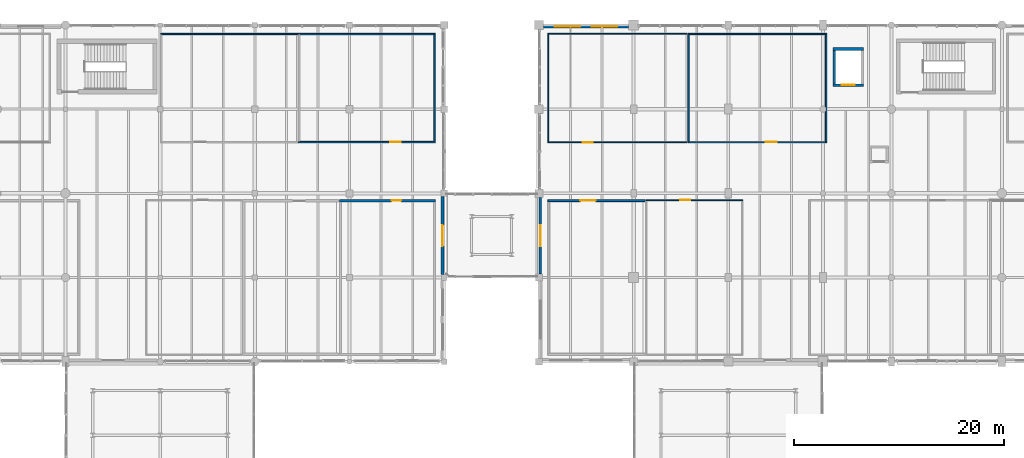
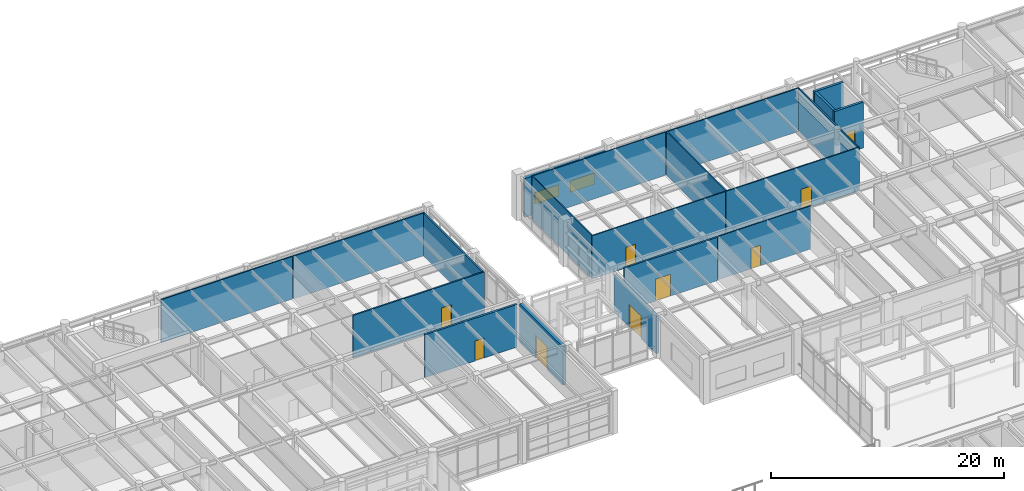
# One storey, part 178 of 200: 20 walls, 9 doors, 2 windows, 11 openings.
"""IFC4 building model written with IfcOpenShell, lengths in metres."""

from ifc_helpers import new_model, si_unit, direction, frame, frame_2d, origin, place, context, subcontext, project, spatial, rectangle, extrude, material, layer, layer_set, type_object, element, fill, save


model = new_model("IFC4")

# Units and contexts
model_context = context("Model", 3, precision=1e-05, world=origin(), true_north=direction((0.0, 1.0)))
body_context = subcontext(model_context, "Body", "Model", "MODEL_VIEW")
ifc_project = project(units=[si_unit("LENGTHUNIT", "METRE"), si_unit("AREAUNIT", "SQUARE_METRE"), si_unit("VOLUMEUNIT", "CUBIC_METRE"), si_unit("PLANEANGLEUNIT", "RADIAN"), si_unit("MASSUNIT", "GRAM", prefix="KILO"), si_unit("THERMODYNAMICTEMPERATUREUNIT", "KELVIN"), si_unit("POWERUNIT", "WATT")], contexts=[model_context])

# Site, building, storey
site_placement = place(None, origin())
site = spatial("IfcSite", under=ifc_project, at=site_placement, CompositionType="ELEMENT")
building_placement = place(site_placement, origin())
building = spatial("IfcBuilding", under=site, at=building_placement, Name="Tepalcoro Natatorium and Aquatics Centre", CompositionType="ELEMENT")
storey_placement = place(building_placement, frame((0.0, 0.0, 5.39990234375)))
storey = spatial("IfcBuildingStorey", under=building, at=storey_placement, Name="L01", CompositionType="ELEMENT", Elevation=5.39990234375)

# Wall, opening, door
ifc_material_1 = material(Name="Precast Concrete C45/55 (fc 45 MPa)", Category="concrete")
ifc_layer_1 = layer(ifc_material_1, 0.260009765625)
ifc_layer_set_1 = layer_set([ifc_layer_1], Name="Precast Concrete C45/55 (fc 45 MPa)")
wall_type_1 = type_object("IfcWallType", Name="WL_EXT_GABLE_260", PredefinedType="SOLIDWALL", material=ifc_layer_set_1)
wall_1_placement = place(storey_placement, frame((98.1298828125, 94.35400390625, 0.0), z_axis=(0.0, 0.0, 1.0), x_axis=(0.0, 1.0, 0.0)))
wall_1 = element("IfcWall", 1, at=wall_1_placement, inside=storey, type_object=wall_type_1, Name="V5 L01 W Volcanic Basalt Envelope Wall", PredefinedType="SOLIDWALL", context=body_context, shape_type="SweptSolid", body=[
    extrude(rectangle(XDim=7.26708984375, YDim=0.260009765625, at=frame_2d((3.633544921875, 0.0))), origin(), (0.0, 0.0, 1.0), 3.918212890625),
])
opening_1_placement = place(wall_1_placement, frame((2.633544921875, 0.0, 0.0)))
opening_1 = element("IfcOpeningElement", 2, at=opening_1_placement, cuts=wall_1, Name="Opening ED5045", PredefinedType="OPENING", context=body_context, shape_type="SweptSolid", body=[
    extrude(rectangle(XDim=2.0, YDim=2.39990234375, at=frame_2d((1.0, 1.199951171875))), frame((0.0, 0.14208984375, 0.0), z_axis=(0.0, -1.0, 0.0), x_axis=(1.0, 0.0, 0.0)), (0.0, 0.0, 1.0), 0.283935546875),
])
ifc_material_2 = material(Name="Bronze-Anodised Extruded Aluminium Alloy EN AW-6063 T6", Category="aluminium")
door_type_1 = type_object("IfcDoorType", Name="DR_200x240_EXT", OperationType="NOTDEFINED", PredefinedType="DOOR", material=ifc_material_2)
door_1_placement = place(opening_1_placement, origin())
door_1 = element("IfcDoor", 3, at=door_1_placement, inside=storey, type_object=door_type_1, Name="V5 L01 West Link Portal", OperationType="DOUBLE_DOOR_SINGLE_SWING", OverallHeight=2.39990234375, OverallWidth=2.0, PredefinedType="DOOR", context=body_context, shape_type="SweptSolid", body=[
    extrude(rectangle(XDim=2.0, YDim=2.39990234375, at=frame_2d((1.0, 1.199951171875))), frame((0.0, 0.02490234375, 0.0), z_axis=(0.0, -1.0, 0.0), x_axis=(1.0, 0.0, 0.0)), (0.0, 0.0, 1.0), 0.050048828125),
])
fill(opening_1, door_1)

ifc_material_3 = material(Name="Jalisco Cantera Rosa Volcanic Tuff Ashlar Masonry", Category="masonry")
ifc_layer_2 = layer(ifc_material_3, 0.304931640625)
ifc_layer_set_2 = layer_set([ifc_layer_2], Name="Jalisco Cantera Rosa Volcanic Tuff Ashlar Masonry")
wall_type_2 = type_object("IfcWallType", Name="WL_EXT_TERRACOTTA_300", PredefinedType="SOLIDWALL", material=ifc_layer_set_2)
wall_2_placement = place(storey_placement, frame((88.847412109375, 94.279052734375, 0.0), z_axis=(0.0, 0.0, 1.0), x_axis=(0.0, 1.0, 0.0)))
wall_2 = element("IfcWall", 4, at=wall_2_placement, inside=storey, type_object=wall_type_2, Name="V4 L01 E Volcanic Basalt Envelope Wall", PredefinedType="SOLIDWALL", context=body_context, shape_type="SweptSolid", body=[
    extrude(rectangle(XDim=7.4169921875, YDim=0.304931640625, at=frame_2d((3.70849609375, 0.0))), origin(), (0.0, 0.0, 1.0), 4.05712890625),
])
opening_2_placement = place(wall_2_placement, frame((2.70849609375, 0.0, 0.0)))
opening_2 = element("IfcOpeningElement", 5, at=opening_2_placement, cuts=wall_2, Name="Opening ED5036", PredefinedType="OPENING", context=body_context, shape_type="SweptSolid", body=[
    extrude(rectangle(XDim=2.0, YDim=2.39990234375, at=frame_2d((1.0, 1.199951171875))), frame((0.0, 0.16455078125, 0.0), z_axis=(0.0, -1.0, 0.0), x_axis=(1.0, 0.0, 0.0)), (0.0, 0.0, 1.0), 0.328857421875),
])
door_2_placement = place(opening_2_placement, frame((2.0, 0.0, 0.0), z_axis=(0.0, 0.0, 1.0), x_axis=(-1.0, 0.0, 0.0)))
door_2 = element("IfcDoor", 6, at=door_2_placement, inside=storey, type_object=door_type_1, Name="V4 L01 East Link Portal", OperationType="DOUBLE_DOOR_SINGLE_SWING", OverallHeight=2.39990234375, OverallWidth=2.0, PredefinedType="DOOR", context=body_context, shape_type="SweptSolid", body=[
    extrude(rectangle(XDim=2.0, YDim=2.39990234375, at=frame_2d((1.0, 1.199951171875))), frame((0.0, 0.02490234375, 0.0), z_axis=(0.0, -1.0, 0.0), x_axis=(1.0, 0.0, 0.0)), (0.0, 0.0, 1.0), 0.050048828125),
])
fill(opening_2, door_2)

# Wall, openings, windows
wall_3_placement = place(storey_placement, frame((98.428955078125, 117.847412109375, 0.0), z_axis=(0.0, 0.0, 1.0), x_axis=(1.0, 0.0, 0.0)))
wall_3 = element("IfcWall", 7, at=wall_3_placement, inside=storey, type_object=wall_type_2, Name="V5 L01 N Volcanic Basalt Envelope Wall", PredefinedType="SOLIDWALL", context=body_context, shape_type="SweptSolid", body=[
    extrude(rectangle(XDim=8.092041015625, YDim=0.304931640625, at=frame_2d((4.0458984375, 0.0))), origin(), (0.0, 0.0, 1.0), 4.070068359375),
])
opening_3_placement = place(wall_3_placement, frame((1.097412109375, 0.0, 0.949951171875)))
opening_3 = element("IfcOpeningElement", 8, at=opening_3_placement, cuts=wall_3, Name="Opening W0091A", PredefinedType="OPENING", context=body_context, shape_type="SweptSolid", body=[
    extrude(rectangle(XDim=2.39990234375, YDim=1.199951171875, at=frame_2d((1.199951171875, 0.60009765625))), frame((0.0, 0.16455078125, 0.0), z_axis=(0.0, -1.0, 0.0), x_axis=(1.0, 0.0, 0.0)), (0.0, 0.0, 1.0), 0.328857421875),
])
opening_4_placement = place(wall_3_placement, frame((4.5947265625, 0.0, 0.949951171875)))
opening_4 = element("IfcOpeningElement", 9, at=opening_4_placement, cuts=wall_3, Name="Opening W0091B", PredefinedType="OPENING", context=body_context, shape_type="SweptSolid", body=[
    extrude(rectangle(XDim=2.39990234375, YDim=1.199951171875, at=frame_2d((1.199951171875, 0.60009765625))), frame((0.0, 0.16455078125, 0.0), z_axis=(0.0, -1.0, 0.0), x_axis=(1.0, 0.0, 0.0)), (0.0, 0.0, 1.0), 0.328857421875),
])
ifc_material_4 = material(Name="Solar-Control Bronze Tempered Low-E Double Glazing", Category="glass")
window_type = type_object("IfcWindowType", Name="WN_240x120", PartitioningType="SINGLE_PANEL", PredefinedType="WINDOW", material=ifc_material_4)
window_1_placement = place(opening_3_placement, origin())
window_1 = element("IfcWindow", 10, at=window_1_placement, inside=storey, type_object=window_type, Name="Exterior Thermal Window WN_240x120", OverallHeight=1.199951171875, OverallWidth=2.39990234375, PartitioningType="SINGLE_PANEL", PredefinedType="WINDOW", context=body_context, shape_type="SweptSolid", body=[
    extrude(rectangle(XDim=2.39990234375, YDim=1.199951171875, at=frame_2d((1.199951171875, 0.60009765625))), frame((0.0, 0.030029296875, 0.0), z_axis=(0.0, -1.0, 0.0), x_axis=(1.0, 0.0, 0.0)), (0.0, 0.0, 1.0), 0.06005859375),
])
fill(opening_3, window_1)
window_2_placement = place(opening_4_placement, origin())
window_2 = element("IfcWindow", 11, at=window_2_placement, inside=storey, type_object=window_type, Name="Exterior Thermal Window WN_240x120", OverallHeight=1.199951171875, OverallWidth=2.39990234375, PartitioningType="SINGLE_PANEL", PredefinedType="WINDOW", context=body_context, shape_type="SweptSolid", body=[
    extrude(rectangle(XDim=2.39990234375, YDim=1.199951171875, at=frame_2d((1.199951171875, 0.60009765625))), frame((0.0, 0.030029296875, 0.0), z_axis=(0.0, -1.0, 0.0), x_axis=(1.0, 0.0, 0.0)), (0.0, 0.0, 1.0), 0.06005859375),
])
fill(opening_4, window_2)

# Wall, opening, door
ifc_material_5 = material(Name="Moisture-Resistant Acoustic Gypsum Drywall on Cold-Formed Metal Studs")
ifc_layer_3 = layer(ifc_material_5, 0.10009765625)
ifc_layer_set_3 = layer_set([ifc_layer_3], Name="Moisture-Resistant Acoustic Gypsum Drywall on Cold-Formed Metal Studs")
wall_type_3 = type_object("IfcWallType", Name="WL_PART_100", PredefinedType="PARTITIONING", material=ifc_layer_set_3)
wall_4_placement = place(storey_placement, frame((108.139892578125, 101.35009765625, 0.0), z_axis=(0.0, 0.0, 1.0), x_axis=(1.0, 0.0, 0.0)))
wall_4 = element("IfcWall", 12, at=wall_4_placement, inside=storey, type_object=wall_type_3, Name="Photographers Darkroom, Editing & Locker Lounge Partition N", PredefinedType="PARTITIONING", context=body_context, shape_type="SweptSolid", body=[
    extrude(rectangle(XDim=9.22021484375, YDim=0.10009765625, at=frame_2d((4.610107421875, 0.0))), origin(), (0.0, 0.0, 1.0), 4.545166015625),
])
opening_5_placement = place(wall_4_placement, frame((3.274658203125, 0.0, 0.0)))
opening_5 = element("IfcOpeningElement", 13, at=opening_5_placement, cuts=wall_4, Name="Opening D0145", PredefinedType="OPENING", context=body_context, shape_type="SweptSolid", body=[
    extrude(rectangle(XDim=0.949951171875, YDim=2.14990234375, at=frame_2d((0.47509765625, 1.074951171875))), frame((0.0, 0.06201171875, 0.0), z_axis=(0.0, -1.0, 0.0), x_axis=(1.0, 0.0, 0.0)), (0.0, 0.0, 1.0), 0.1240234375),
])
ifc_material_6 = material(Name="Solid-Core Moisture-Sealed Oak Timber Leaf in Aluminium Frame", Category="wood")
door_type_2 = type_object("IfcDoorType", Name="DR_095x215_OFFICE", OperationType="NOTDEFINED", PredefinedType="DOOR", material=ifc_material_6)
door_3_placement = place(opening_5_placement, frame((0.949951171875, 0.0, 0.0), z_axis=(0.0, 0.0, 1.0), x_axis=(-1.0, 0.0, 0.0)))
door_3 = element("IfcDoor", 14, at=door_3_placement, inside=storey, type_object=door_type_2, Name="Photographers Darkroom, Editing & Locker Lounge Door", OperationType="SINGLE_SWING_RIGHT", OverallHeight=2.14990234375, OverallWidth=0.949951171875, PredefinedType="DOOR", context=body_context, shape_type="SweptSolid", body=[
    extrude(rectangle(XDim=0.949951171875, YDim=2.14990234375, at=frame_2d((0.47509765625, 1.074951171875))), frame((0.0, 0.02490234375, 0.0), z_axis=(0.0, -1.0, 0.0), x_axis=(1.0, 0.0, 0.0)), (0.0, 0.0, 1.0), 0.050048828125),
])
fill(opening_5, door_3)

wall_5_placement = place(storey_placement, frame((98.840087890625, 106.85009765625, 0.0), z_axis=(0.0, 0.0, 1.0), x_axis=(1.0, 0.0, 0.0)))
wall_5 = element("IfcWall", 15, at=wall_5_placement, inside=storey, type_object=wall_type_3, Name="Event Organising Committee Operations Hub Partition S", PredefinedType="PARTITIONING", context=body_context, shape_type="SweptSolid", body=[
    extrude(rectangle(XDim=13.219970703125, YDim=0.10009765625, at=frame_2d((6.60986328125, 0.0))), origin(), (0.0, 0.0, 1.0), 4.545166015625),
])
opening_6_placement = place(wall_5_placement, frame((3.342529296875, 0.0, 0.0)))
opening_6 = element("IfcOpeningElement", 16, at=opening_6_placement, cuts=wall_5, Name="Opening D0149", PredefinedType="OPENING", context=body_context, shape_type="SweptSolid", body=[
    extrude(rectangle(XDim=0.949951171875, YDim=2.14990234375, at=frame_2d((0.47509765625, 1.074951171875))), frame((0.0, 0.06201171875, 0.0), z_axis=(0.0, -1.0, 0.0), x_axis=(1.0, 0.0, 0.0)), (0.0, 0.0, 1.0), 0.1240234375),
])
door_4_placement = place(opening_6_placement, origin())
door_4 = element("IfcDoor", 17, at=door_4_placement, inside=storey, type_object=door_type_2, Name="Event Organising Committee Operations Hub Door", OperationType="SINGLE_SWING_LEFT", OverallHeight=2.14990234375, OverallWidth=0.949951171875, PredefinedType="DOOR", context=body_context, shape_type="SweptSolid", body=[
    extrude(rectangle(XDim=0.949951171875, YDim=2.14990234375, at=frame_2d((0.47509765625, 1.074951171875))), frame((0.0, 0.02490234375, 0.0), z_axis=(0.0, -1.0, 0.0), x_axis=(1.0, 0.0, 0.0)), (0.0, 0.0, 1.0), 0.050048828125),
])
fill(opening_6, door_4)

# Walls
wall_6_placement = place(storey_placement, frame((98.840087890625, 117.14990234375, 0.0), z_axis=(0.0, 0.0, 1.0), x_axis=(1.0, 0.0, 0.0)))
element("IfcWall", 18, at=wall_6_placement, inside=storey, type_object=wall_type_3, Name="Event Organising Committee Operations Hub Partition N", PredefinedType="PARTITIONING", context=body_context, shape_type="SweptSolid", body=[
    extrude(rectangle(XDim=13.219970703125, YDim=0.10009765625, at=frame_2d((6.60986328125, 0.0))), origin(), (0.0, 0.0, 1.0), 4.545166015625),
])
wall_7_placement = place(storey_placement, frame((98.889892578125, 106.89990234375, 0.0), z_axis=(0.0, 0.0, 1.0), x_axis=(0.0, 1.0, 0.0)))
element("IfcWall", 19, at=wall_7_placement, inside=storey, type_object=wall_type_3, Name="Event Organising Committee Operations Hub Partition W", PredefinedType="PARTITIONING", context=body_context, shape_type="SweptSolid", body=[
    extrude(rectangle(XDim=10.2001953125, YDim=0.10009765625, at=frame_2d((5.10009765625, 0.0))), origin(), (0.0, 0.0, 1.0), 4.545166015625),
])
ifc_layer_4 = layer(ifc_material_5, 0.125)
ifc_layer_set_4 = layer_set([ifc_layer_4], Name="Moisture-Resistant Acoustic Gypsum Drywall on Cold-Formed Metal Studs")
wall_type_4 = type_object("IfcWallType", Name="WL_PART_125", PredefinedType="PARTITIONING", material=ifc_layer_set_4)
wall_8_placement = place(storey_placement, frame((62.0400390625, 117.137451171875, 0.0), z_axis=(0.0, 0.0, 1.0), x_axis=(1.0, 0.0, 0.0)))
element("IfcWall", 20, at=wall_8_placement, inside=storey, type_object=wall_type_4, Name="National Swim Federation Coaching Suite Partition N", PredefinedType="PARTITIONING", context=body_context, shape_type="SweptSolid", body=[
    extrude(rectangle(XDim=13.02001953125, YDim=0.125, at=frame_2d((6.510009765625, 0.0))), origin(), (0.0, 0.0, 1.0), 4.485107421875),
])

# Wall, opening, door
wall_9_placement = place(storey_placement, frame((112.139892578125, 106.862548828125, 0.0), z_axis=(0.0, 0.0, 1.0), x_axis=(1.0, 0.0, 0.0)))
wall_9 = element("IfcWall", 21, at=wall_9_placement, inside=storey, type_object=wall_type_4, Name="Media Catering Pantry & Lounge Partition S", PredefinedType="PARTITIONING", context=body_context, shape_type="SweptSolid", body=[
    extrude(rectangle(XDim=13.22021484375, YDim=0.125, at=frame_2d((6.610107421875, 0.0))), origin(), (0.0, 0.0, 1.0), 4.545166015625),
])
opening_7_placement = place(wall_9_placement, frame((7.413330078125, 0.0, 0.0)))
opening_7 = element("IfcOpeningElement", 22, at=opening_7_placement, cuts=wall_9, Name="Opening D0150", PredefinedType="OPENING", context=body_context, shape_type="SweptSolid", body=[
    extrude(rectangle(XDim=1.050048828125, YDim=2.14990234375, at=frame_2d((0.52490234375, 1.074951171875))), frame((0.0, 0.074462890625, 0.0), z_axis=(0.0, -1.0, 0.0), x_axis=(1.0, 0.0, 0.0)), (0.0, 0.0, 1.0), 0.14892578125),
])
door_type_3 = type_object("IfcDoorType", Name="DR_105x215_ACC", OperationType="NOTDEFINED", PredefinedType="DOOR", material=ifc_material_6)
door_5_placement = place(opening_7_placement, origin())
door_5 = element("IfcDoor", 23, at=door_5_placement, inside=storey, type_object=door_type_3, Name="Media Catering Pantry & Lounge Door", OperationType="SINGLE_SWING_RIGHT", OverallHeight=2.14990234375, OverallWidth=1.050048828125, PredefinedType="DOOR", context=body_context, shape_type="SweptSolid", body=[
    extrude(rectangle(XDim=1.050048828125, YDim=2.14990234375, at=frame_2d((0.52490234375, 1.074951171875))), frame((0.0, 0.02490234375, 0.0), z_axis=(0.0, -1.0, 0.0), x_axis=(1.0, 0.0, 0.0)), (0.0, 0.0, 1.0), 0.050048828125),
])
fill(opening_7, door_5)

# Walls
wall_10_placement = place(storey_placement, frame((112.139892578125, 117.137451171875, 0.0), z_axis=(0.0, 0.0, 1.0), x_axis=(1.0, 0.0, 0.0)))
element("IfcWall", 24, at=wall_10_placement, inside=storey, type_object=wall_type_4, Name="Media Catering Pantry & Lounge Partition N", PredefinedType="PARTITIONING", context=body_context, shape_type="SweptSolid", body=[
    extrude(rectangle(XDim=13.22021484375, YDim=0.125, at=frame_2d((6.610107421875, 0.0))), origin(), (0.0, 0.0, 1.0), 4.545166015625),
])
for number, where, z_axis, x_axis, name in (
    (25, (125.297607421875, 106.925048828125, 0.0), (0.0, 0.0, 1.0), (0.0, 1.0, 0.0), "Media Catering Pantry & Lounge Partition E"),
    (26, (112.202392578125, 106.925048828125, 0.0), (0.0, 0.0, 1.0), (0.0, 1.0, 0.0), "Media Catering Pantry & Lounge Partition W"),
):
    element("IfcWall", number, at=place(storey_placement, frame(where, z_axis=z_axis, x_axis=x_axis)), inside=storey, type_object=wall_type_4, Name=name, PredefinedType="PARTITIONING", context=body_context, shape_type="SweptSolid", body=[
        extrude(rectangle(XDim=10.14990234375, YDim=0.125, at=frame_2d((5.074951171875, 0.0))), origin(), (0.0, 0.0, 1.0), 4.545166015625),
    ])

# Wall, opening, door
ifc_layer_5 = layer(ifc_material_5, 0.14990234375)
ifc_layer_set_5 = layer_set([ifc_layer_5], Name="Moisture-Resistant Acoustic Gypsum Drywall on Cold-Formed Metal Studs")
wall_type_5 = type_object("IfcWallType", Name="WL_PART_150_AC", PredefinedType="PARTITIONING", material=ifc_layer_set_5)
wall_11_placement = place(storey_placement, frame((75.139892578125, 106.875, 0.0), z_axis=(0.0, 0.0, 1.0), x_axis=(1.0, 0.0, 0.0)))
wall_11 = element("IfcWall", 27, at=wall_11_placement, inside=storey, type_object=wall_type_5, Name="Gym Equipment & Testing Store Partition S", PredefinedType="PARTITIONING", context=body_context, shape_type="SweptSolid", body=[
    extrude(rectangle(XDim=13.02001953125, YDim=0.14990234375, at=frame_2d((6.510009765625, 0.0))), origin(), (0.0, 0.0, 1.0), 4.485107421875),
])
opening_8_placement = place(wall_11_placement, frame((8.739990234375, 0.0, 0.0)))
opening_8 = element("IfcOpeningElement", 28, at=opening_8_placement, cuts=wall_11, Name="Opening D0143", PredefinedType="OPENING", context=body_context, shape_type="SweptSolid", body=[
    extrude(rectangle(XDim=1.0, YDim=2.199951171875, at=frame_2d((0.5, 1.10009765625))), frame((0.0, 0.0869140625, 0.0), z_axis=(0.0, -1.0, 0.0), x_axis=(1.0, 0.0, 0.0)), (0.0, 0.0, 1.0), 0.173828125),
])
ifc_material_7 = material(Name="Galvanised Steel Insulated Acoustic Fire Door Assembly", Category="steel")
door_type_4 = type_object("IfcDoorType", Name="DR_100x220_FD60", OperationType="NOTDEFINED", PredefinedType="DOOR", material=ifc_material_7)
door_6_placement = place(opening_8_placement, origin())
door_6 = element("IfcDoor", 29, at=door_6_placement, inside=storey, type_object=door_type_4, Name="Gym Equipment & Testing Store Door", OperationType="SINGLE_SWING_LEFT", OverallHeight=2.199951171875, OverallWidth=1.0, PredefinedType="DOOR", context=body_context, shape_type="SweptSolid", body=[
    extrude(rectangle(XDim=1.0, YDim=2.199951171875, at=frame_2d((0.5, 1.10009765625))), frame((0.0, 0.02490234375, 0.0), z_axis=(0.0, -1.0, 0.0), x_axis=(1.0, 0.0, 0.0)), (0.0, 0.0, 1.0), 0.050048828125),
])
fill(opening_8, door_6)

# Walls
wall_12_placement = place(storey_placement, frame((75.139892578125, 117.125, 0.0), z_axis=(0.0, 0.0, 1.0), x_axis=(1.0, 0.0, 0.0)))
element("IfcWall", 30, at=wall_12_placement, inside=storey, type_object=wall_type_5, Name="Gym Equipment & Testing Store Partition N", PredefinedType="PARTITIONING", context=body_context, shape_type="SweptSolid", body=[
    extrude(rectangle(XDim=13.02001953125, YDim=0.14990234375, at=frame_2d((6.510009765625, 0.0))), origin(), (0.0, 0.0, 1.0), 4.485107421875),
])
wall_13_placement = place(storey_placement, frame((88.0849609375, 106.949951171875, 0.0), z_axis=(0.0, 0.0, 1.0), x_axis=(0.0, 1.0, 0.0)))
element("IfcWall", 31, at=wall_13_placement, inside=storey, type_object=wall_type_5, Name="Gym Equipment & Testing Store Partition E", PredefinedType="PARTITIONING", context=body_context, shape_type="SweptSolid", body=[
    extrude(rectangle(XDim=10.10009765625, YDim=0.14990234375, at=frame_2d((5.050048828125, 0.0))), origin(), (0.0, 0.0, 1.0), 4.485107421875),
])

# Wall, opening, door
ifc_layer_6 = layer(ifc_material_5, 0.179931640625)
ifc_layer_set_6 = layer_set([ifc_layer_6], Name="Moisture-Resistant Acoustic Gypsum Drywall on Cold-Formed Metal Studs")
wall_type_6 = type_object("IfcWallType", Name="WL_PART_180_AC", PredefinedType="PARTITIONING", material=ifc_layer_set_6)
wall_14_placement = place(storey_placement, frame((98.840087890625, 101.31005859375, 0.0), z_axis=(0.0, 0.0, 1.0), x_axis=(1.0, 0.0, 0.0)))
wall_14 = element("IfcWall", 32, at=wall_14_placement, inside=storey, type_object=wall_type_6, Name="International Written Press Workroom (120 Desks) Partition N", PredefinedType="PARTITIONING", context=body_context, shape_type="SweptSolid", body=[
    extrude(rectangle(XDim=9.219970703125, YDim=0.179931640625, at=frame_2d((4.60986328125, 0.0))), origin(), (0.0, 0.0, 1.0), 4.545166015625),
])
opening_9_placement = place(wall_14_placement, frame((3.065673828125, 0.0, 0.0)))
opening_9 = element("IfcOpeningElement", 33, at=opening_9_placement, cuts=wall_14, Name="Opening D0144", PredefinedType="OPENING", context=body_context, shape_type="SweptSolid", body=[
    extrude(rectangle(XDim=1.5, YDim=2.300048828125, at=frame_2d((0.75, 1.14990234375))), frame((0.0, 0.10205078125, 0.0), z_axis=(0.0, -1.0, 0.0), x_axis=(1.0, 0.0, 0.0)), (0.0, 0.0, 1.0), 0.203857421875),
])
door_type_5 = type_object("IfcDoorType", Name="DR_150x230_FD60", OperationType="NOTDEFINED", PredefinedType="DOOR", material=ifc_material_7)
door_7_placement = place(opening_9_placement, frame((1.5, 0.0, 0.0), z_axis=(0.0, 0.0, 1.0), x_axis=(-1.0, 0.0, 0.0)))
door_7 = element("IfcDoor", 34, at=door_7_placement, inside=storey, type_object=door_type_5, Name="International Written Press Workroom (120 Desks) Door", OperationType="DOUBLE_DOOR_SINGLE_SWING", OverallHeight=2.300048828125, OverallWidth=1.5, PredefinedType="DOOR", context=body_context, shape_type="SweptSolid", body=[
    extrude(rectangle(XDim=1.5, YDim=2.300048828125, at=frame_2d((0.75, 1.14990234375))), frame((0.0, 0.02490234375, 0.0), z_axis=(0.0, -1.0, 0.0), x_axis=(1.0, 0.0, 0.0)), (0.0, 0.0, 1.0), 0.050048828125),
])
fill(opening_9, door_7)

ifc_material_8 = material(Name="Ceramic-Tiled Moisture-Resistant Masonry Blockwork", Category="masonry")
ifc_layer_7 = layer(ifc_material_8, 0.199951171875)
ifc_layer_set_7 = layer_set([ifc_layer_7], Name="Ceramic-Tiled Moisture-Resistant Masonry Blockwork")
wall_type_7 = type_object("IfcWallType", Name="WL_PLUMB_200", PredefinedType="PLUMBINGWALL", material=ifc_layer_set_7)
wall_15_placement = place(storey_placement, frame((79.0400390625, 101.300048828125, 0.0), z_axis=(0.0, 0.0, 1.0), x_axis=(1.0, 0.0, 0.0)))
wall_15 = element("IfcWall", 35, at=wall_15_placement, inside=storey, type_object=wall_type_7, Name="Gym Accessible WC & Shower Partition N", PredefinedType="PLUMBINGWALL", context=body_context, shape_type="SweptSolid", body=[
    extrude(rectangle(XDim=9.119873046875, YDim=0.199951171875, at=frame_2d((4.56005859375, 0.0))), origin(), (0.0, 0.0, 1.0), 4.485107421875),
])
opening_10_placement = place(wall_15_placement, frame((4.96435546875, 0.0, 0.0)))
opening_10 = element("IfcOpeningElement", 36, at=opening_10_placement, cuts=wall_15, Name="Opening D0139", PredefinedType="OPENING", context=body_context, shape_type="SweptSolid", body=[
    extrude(rectangle(XDim=0.89990234375, YDim=2.10009765625, at=frame_2d((0.449951171875, 1.050048828125))), frame((0.0, 0.11181640625, 0.0), z_axis=(0.0, -1.0, 0.0), x_axis=(1.0, 0.0, 0.0)), (0.0, 0.0, 1.0), 0.223876953125),
])
door_type_6 = type_object("IfcDoorType", Name="DR_095x215_WC", OperationType="NOTDEFINED", PredefinedType="DOOR", material=ifc_material_6)
door_8_placement = place(opening_10_placement, frame((0.89990234375, 0.0, 0.0), z_axis=(0.0, 0.0, 1.0), x_axis=(-1.0, 0.0, 0.0)))
door_8 = element("IfcDoor", 37, at=door_8_placement, inside=storey, type_object=door_type_6, Name="Gym Accessible WC & Shower Door", OperationType="SINGLE_SWING_LEFT", OverallHeight=2.10009765625, OverallWidth=0.89990234375, PredefinedType="DOOR", context=body_context, shape_type="SweptSolid", body=[
    extrude(rectangle(XDim=0.89990234375, YDim=2.10009765625, at=frame_2d((0.449951171875, 1.050048828125))), frame((0.0, 0.02490234375, 0.0), z_axis=(0.0, -1.0, 0.0), x_axis=(1.0, 0.0, 0.0)), (0.0, 0.0, 1.0), 0.050048828125),
])
fill(opening_10, door_8)

ifc_material_9 = material(Name="Concrete C40/50 (fc 40 MPa)", Category="concrete")
ifc_layer_8 = layer(ifc_material_9, 0.239990234375)
ifc_layer_set_8 = layer_set([ifc_layer_8], Name="Concrete C40/50 (fc 40 MPa)")
wall_type_8 = type_object("IfcWallType", Name="WL_SHAFT_240", PredefinedType="SOLIDWALL", material=ifc_layer_set_8)
wall_16_placement = place(storey_placement, frame((125.9599609375, 112.280029296875, 0.0), z_axis=(0.0, 0.0, 1.0), x_axis=(1.0, 0.0, 0.0)))
wall_16 = element("IfcWall", 38, at=wall_16_placement, inside=storey, type_object=wall_type_8, Name="LF05 Lift Shaft Wall S L01", PredefinedType="SOLIDWALL", context=body_context, shape_type="SweptSolid", body=[
    extrude(rectangle(XDim=2.880126953125, YDim=0.239990234375, at=frame_2d((1.43994140625, 0.0))), origin(), (0.0, 0.0, 1.0), 4.800048828125),
])
opening_11_placement = place(wall_16_placement, frame((0.840087890625, 0.0, 0.0)))
opening_11 = element("IfcOpeningElement", 39, at=opening_11_placement, cuts=wall_16, Name="Opening LD-LF05-L01", PredefinedType="OPENING", context=body_context, shape_type="SweptSolid", body=[
    extrude(rectangle(XDim=1.199951171875, YDim=2.199951171875, at=frame_2d((0.60009765625, 1.10009765625))), frame((0.0, 0.1318359375, 0.0), z_axis=(0.0, -1.0, 0.0), x_axis=(1.0, 0.0, 0.0)), (0.0, 0.0, 1.0), 0.263916015625),
])
ifc_material_10 = material(Name="Marine-Grade Brushed Stainless Steel AISI 316L", Category="steel")
door_type_7 = type_object("IfcDoorType", Name="DR_120x220_LIFT", OperationType="NOTDEFINED", PredefinedType="USERDEFINED", material=ifc_material_10)
door_9_placement = place(opening_11_placement, origin())
door_9 = element("IfcDoor", 40, at=door_9_placement, inside=storey, type_object=door_type_7, Name="LF05 Lift Landing Sliding Door (L01)", ObjectType="SLIDING LANDING DOOR", OperationType="SLIDING_TO_RIGHT", OverallHeight=2.199951171875, OverallWidth=1.199951171875, PredefinedType="USERDEFINED", context=body_context, shape_type="SweptSolid", body=[
    extrude(rectangle(XDim=1.199951171875, YDim=2.199951171875, at=frame_2d((0.60009765625, 1.10009765625))), frame((0.0, 0.02490234375, 0.0), z_axis=(0.0, -1.0, 0.0), x_axis=(1.0, 0.0, 0.0)), (0.0, 0.0, 1.0), 0.050048828125),
])
fill(opening_11, door_9)

# Walls
wall_17_placement = place(storey_placement, frame((125.9599609375, 115.719970703125, 0.0), z_axis=(0.0, 0.0, 1.0), x_axis=(1.0, 0.0, 0.0)))
element("IfcWall", 41, at=wall_17_placement, inside=storey, type_object=wall_type_8, Name="LF05 Lift Shaft Wall N L01", PredefinedType="SOLIDWALL", context=body_context, shape_type="SweptSolid", body=[
    extrude(rectangle(XDim=2.880126953125, YDim=0.239990234375, at=frame_2d((1.43994140625, 0.0))), origin(), (0.0, 0.0, 1.0), 4.800048828125),
])
wall_18_placement = place(storey_placement, frame((126.080078125, 112.39990234375, 0.0), z_axis=(0.0, 0.0, 1.0), x_axis=(0.0, 1.0, 0.0)))
element("IfcWall", 42, at=wall_18_placement, inside=storey, type_object=wall_type_8, Name="LF05 Lift Shaft Wall W L01", PredefinedType="SOLIDWALL", context=body_context, shape_type="SweptSolid", body=[
    extrude(rectangle(XDim=3.2001953125, YDim=0.239990234375, at=frame_2d((1.60009765625, 0.0))), origin(), (0.0, 0.0, 1.0), 4.800048828125),
])

save(model, "model.ifc")
